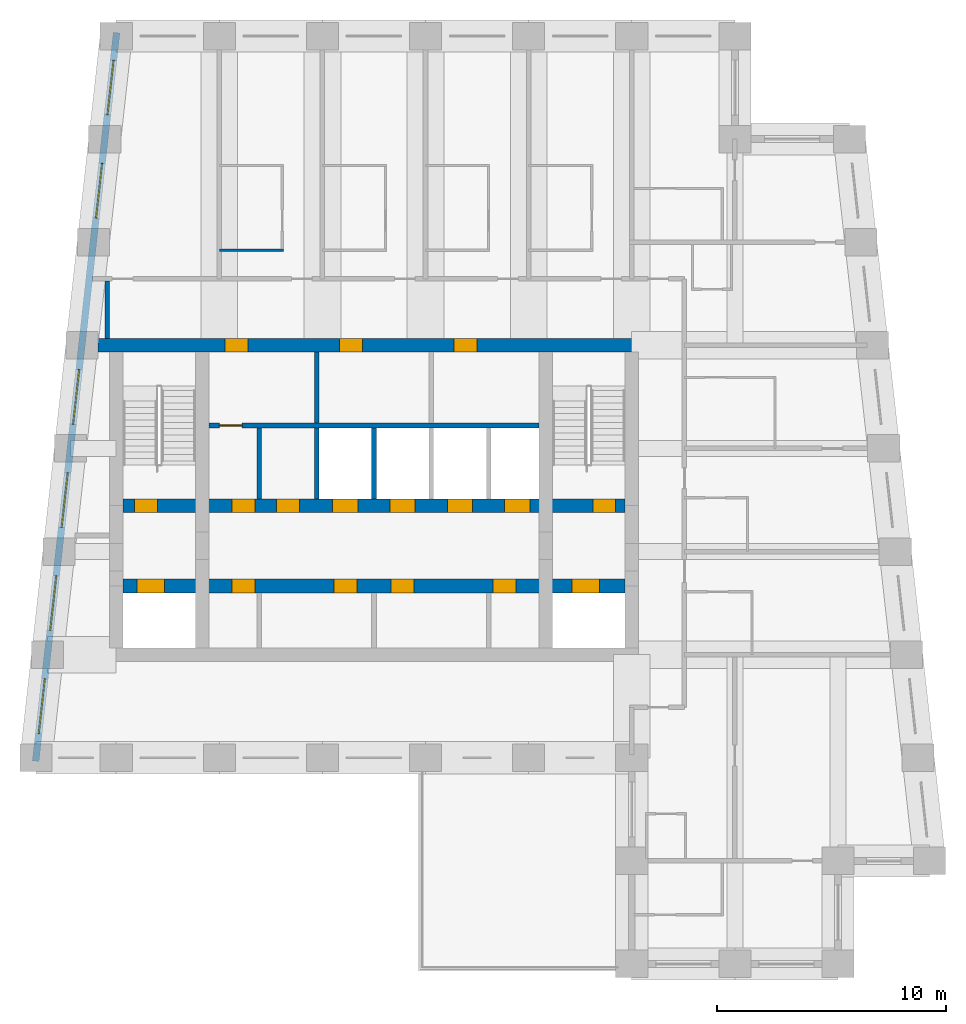
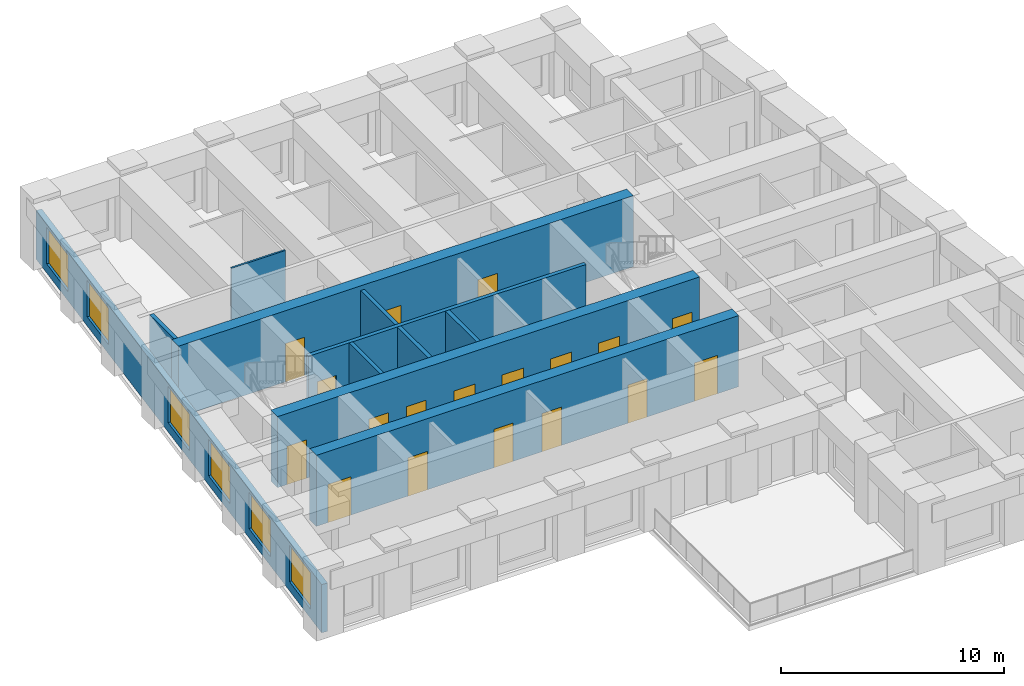
# One storey, part 3 of 7: 18 doors, 11 walls, 6 windows, 24 openings.
"""IFC4 building model written with IfcOpenShell, lengths in metres."""

from ifc_helpers import new_model, si_unit, direction, frame, frame_2d, origin, place, context, subcontext, project, spatial, rectangle, extrude, material, layer, layer_set, type_object, element, fill, save


model = new_model("IFC4")

# Units and contexts
model_context = context("Model", 3, precision=1e-05, world=origin(), true_north=direction((0.0, 1.0)))
body_context = subcontext(model_context, "Body", "Model", "MODEL_VIEW")
ifc_project = project(units=[si_unit("LENGTHUNIT", "METRE"), si_unit("AREAUNIT", "SQUARE_METRE"), si_unit("VOLUMEUNIT", "CUBIC_METRE"), si_unit("PLANEANGLEUNIT", "RADIAN"), si_unit("MASSUNIT", "GRAM", prefix="KILO")], contexts=[model_context])

# Site, building, storey
site_placement = place(None, origin())
site = spatial("IfcSite", under=ifc_project, at=site_placement, CompositionType="ELEMENT")
building_placement = place(site_placement, origin())
building = spatial("IfcBuilding", under=site, at=building_placement, Name="Kilele Tower Hotel", CompositionType="ELEMENT")
storey_placement = place(building_placement, frame((0.0, 0.0, 250.699951171875)))
storey = spatial("IfcBuildingStorey", under=building, at=storey_placement, Name="L64", CompositionType="ELEMENT", Elevation=250.699951171875)

# Wall
ifc_material_1 = material(Name="Moisture-resistant board")
ifc_layer_1 = layer(ifc_material_1, 0.10009765625)
ifc_layer_set_1 = layer_set([ifc_layer_1], Name="Moisture-resistant board")
wall_type_1 = type_object("IfcWallType", Name="Bathroom partition 100", PredefinedType="PLUMBINGWALL", material=ifc_layer_set_1)
wall_1_placement = place(storey_placement, frame((18.0, 31.14990234375, 0.0), z_axis=(0.0, 0.0, 1.0), x_axis=(1.0, 0.0, 0.0)))
element("IfcWall", 1, at=wall_1_placement, inside=storey, type_object=wall_type_1, Name="Bathroom partition 100 L64", PredefinedType="PLUMBINGWALL", context=body_context, shape_type="SweptSolid", body=[
    extrude(rectangle(XDim=2.800048828125, YDim=0.10009765625, at=frame_2d((1.39990234375, 0.0))), origin(), (0.0, 0.0, 1.0), 3.650146484375),
])

# Wall, openings, doors
ifc_material_2 = material(Name="Concrete C60/75", Category="concrete")
ifc_layer_2 = layer(ifc_material_2, 0.60009765625)
ifc_layer_set_2 = layer_set([ifc_layer_2], Name="Concrete C60/75")
wall_type_2 = type_object("IfcWallType", Name="Core wall 600 C60/75", PredefinedType="SHEAR", material=ifc_layer_set_2)
wall_2_placement = place(storey_placement, frame((36.300048828125, 27.0, 0.0), z_axis=(0.0, 0.0, 1.0), x_axis=(-1.0, 0.0, 0.0)))
wall_2 = element("IfcWall", 2, at=wall_2_placement, inside=storey, type_object=wall_type_2, Name="Core wall N L64", PredefinedType="SHEAR", context=body_context, shape_type="SweptSolid", body=[
    extrude(rectangle(XDim=23.60009765625, YDim=0.60009765625, at=frame_2d((11.800048828125, 0.0))), origin(), (0.0, 0.0, 1.0), 3.900146484375),
])
opening_1_placement = place(wall_2_placement, frame((17.050048828125, 0.0, 0.0)))
opening_1 = element("IfcOpeningElement", 3, at=opening_1_placement, cuts=wall_2, Name="Opening D12", PredefinedType="OPENING", context=body_context, shape_type="SweptSolid", body=[
    extrude(rectangle(XDim=1.0, YDim=2.10009765625, at=frame_2d((0.5, 1.050048828125))), frame((0.0, 0.31005859375, 0.0), z_axis=(0.0, -1.0, 0.0), x_axis=(1.0, 0.0, 0.0)), (0.0, 0.0, 1.0), 0.6201171875),
])
opening_2_placement = place(wall_2_placement, frame((12.050048828125, 0.0, 0.0)))
opening_2 = element("IfcOpeningElement", 4, at=opening_2_placement, cuts=wall_2, Name="Opening D6", PredefinedType="OPENING", context=body_context, shape_type="SweptSolid", body=[
    extrude(rectangle(XDim=1.0, YDim=2.10009765625, at=frame_2d((0.5, 1.050048828125))), frame((0.0, 0.31005859375, 0.0), z_axis=(0.0, -1.0, 0.0), x_axis=(1.0, 0.0, 0.0)), (0.0, 0.0, 1.0), 0.6201171875),
])
opening_3_placement = place(wall_2_placement, frame((7.050048828125, 0.0, 0.0)))
opening_3 = element("IfcOpeningElement", 5, at=opening_3_placement, cuts=wall_2, Name="Opening D6", PredefinedType="OPENING", context=body_context, shape_type="SweptSolid", body=[
    extrude(rectangle(XDim=1.0, YDim=2.10009765625, at=frame_2d((0.5, 1.050048828125))), frame((0.0, 0.31005859375, 0.0), z_axis=(0.0, -1.0, 0.0), x_axis=(1.0, 0.0, 0.0)), (0.0, 0.0, 1.0), 0.6201171875),
])
ifc_material_3 = material(Name="Timber door leaf in hardwood frame", Category="wood")
door_type_1 = type_object("IfcDoorType", Name="Core lobby door 1000", OperationType="SINGLE_SWING_LEFT", PredefinedType="DOOR", material=ifc_material_3)
door_1_placement = place(opening_1_placement, origin())
door_1 = element("IfcDoor", 6, at=door_1_placement, inside=storey, type_object=door_type_1, Name="North lobby door L64", OperationType="SINGLE_SWING_RIGHT", OverallHeight=2.10009765625, OverallWidth=1.0, PredefinedType="DOOR", context=body_context, shape_type="SweptSolid", body=[
    extrude(rectangle(XDim=1.0, YDim=2.10009765625, at=frame_2d((0.5, 1.050048828125))), frame((0.0, 0.2998046875, 0.0), z_axis=(0.0, -1.0, 0.0), x_axis=(1.0, 0.0, 0.0)), (0.0, 0.0, 1.0), 0.599609375),
])
fill(opening_1, door_1)
ifc_material_4 = material(Name="Timber door leaf in hardwood frame", Category="wood")
door_type_2 = type_object("IfcDoorType", Name="Riser door 1000", OperationType="SINGLE_SWING_LEFT", PredefinedType="DOOR", material=ifc_material_4)
door_2_placement = place(opening_2_placement, origin())
door_2 = element("IfcDoor", 7, at=door_2_placement, inside=storey, type_object=door_type_2, Name="Staff WC door L64", OperationType="SINGLE_SWING_RIGHT", OverallHeight=2.10009765625, OverallWidth=1.0, PredefinedType="DOOR", context=body_context, shape_type="SweptSolid", body=[
    extrude(rectangle(XDim=1.0, YDim=2.10009765625, at=frame_2d((0.5, 1.050048828125))), frame((0.0, 0.2998046875, 0.0), z_axis=(0.0, -1.0, 0.0), x_axis=(1.0, 0.0, 0.0)), (0.0, 0.0, 1.0), 0.599609375),
])
fill(opening_2, door_2)
door_3_placement = place(opening_3_placement, origin())
door_3 = element("IfcDoor", 8, at=door_3_placement, inside=storey, type_object=door_type_2, Name="Electrical riser door L64", OperationType="SINGLE_SWING_RIGHT", OverallHeight=2.10009765625, OverallWidth=1.0, PredefinedType="DOOR", context=body_context, shape_type="SweptSolid", body=[
    extrude(rectangle(XDim=1.0, YDim=2.10009765625, at=frame_2d((0.5, 1.050048828125))), frame((0.0, 0.2998046875, 0.0), z_axis=(0.0, -1.0, 0.0), x_axis=(1.0, 0.0, 0.0)), (0.0, 0.0, 1.0), 0.599609375),
])
fill(opening_3, door_3)

wall_3_placement = place(storey_placement, frame((13.800048828125, 16.5, 0.0), z_axis=(0.0, 0.0, 1.0), x_axis=(1.0, 0.0, 0.0)))
wall_3 = element("IfcWall", 9, at=wall_3_placement, inside=storey, type_object=wall_type_2, Name="Core wall LS L64", PredefinedType="SHEAR", context=body_context, shape_type="SweptSolid", body=[
    extrude(rectangle(XDim=21.89990234375, YDim=0.60009765625, at=frame_2d((10.949951171875, 0.0))), origin(), (0.0, 0.0, 1.0), 3.900146484375),
])
opening_4_placement = place(wall_3_placement, frame((5.75, 0.0, 0.0), z_axis=(0.0, 0.0, 1.0), x_axis=(-1.0, 0.0, 0.0)))
opening_4 = element("IfcOpeningElement", 10, at=opening_4_placement, cuts=wall_3, Name="Opening D11", PredefinedType="OPENING", context=body_context, shape_type="SweptSolid", body=[
    extrude(rectangle(XDim=1.0, YDim=2.10009765625, at=frame_2d((0.5, 1.050048828125))), frame((0.0, 0.31005859375, 0.0), z_axis=(0.0, -1.0, 0.0), x_axis=(1.0, 0.0, 0.0)), (0.0, 0.0, 1.0), 0.6201171875),
])
opening_5_placement = place(wall_3_placement, frame((10.199951171875, 0.0, 0.0), z_axis=(0.0, 0.0, 1.0), x_axis=(-1.0, 0.0, 0.0)))
opening_5 = element("IfcOpeningElement", 11, at=opening_5_placement, cuts=wall_3, Name="Opening D11", PredefinedType="OPENING", context=body_context, shape_type="SweptSolid", body=[
    extrude(rectangle(XDim=1.0, YDim=2.10009765625, at=frame_2d((0.5, 1.050048828125))), frame((0.0, 0.31005859375, 0.0), z_axis=(0.0, -1.0, 0.0), x_axis=(1.0, 0.0, 0.0)), (0.0, 0.0, 1.0), 0.6201171875),
])
opening_6_placement = place(wall_3_placement, frame((12.699951171875, 0.0, 0.0), z_axis=(0.0, 0.0, 1.0), x_axis=(-1.0, 0.0, 0.0)))
opening_6 = element("IfcOpeningElement", 12, at=opening_6_placement, cuts=wall_3, Name="Opening D11", PredefinedType="OPENING", context=body_context, shape_type="SweptSolid", body=[
    extrude(rectangle(XDim=1.0, YDim=2.10009765625, at=frame_2d((0.5, 1.050048828125))), frame((0.0, 0.31005859375, 0.0), z_axis=(0.0, -1.0, 0.0), x_axis=(1.0, 0.0, 0.0)), (0.0, 0.0, 1.0), 0.6201171875),
])
opening_7_placement = place(wall_3_placement, frame((17.14990234375, 0.0, 0.0), z_axis=(0.0, 0.0, 1.0), x_axis=(-1.0, 0.0, 0.0)))
opening_7 = element("IfcOpeningElement", 13, at=opening_7_placement, cuts=wall_3, Name="Opening D11", PredefinedType="OPENING", context=body_context, shape_type="SweptSolid", body=[
    extrude(rectangle(XDim=1.0, YDim=2.10009765625, at=frame_2d((0.5, 1.050048828125))), frame((0.0, 0.31005859375, 0.0), z_axis=(0.0, -1.0, 0.0), x_axis=(1.0, 0.0, 0.0)), (0.0, 0.0, 1.0), 0.6201171875),
])
opening_8_placement = place(wall_3_placement, frame((0.60009765625, 0.0, 0.0)))
opening_8 = element("IfcOpeningElement", 14, at=opening_8_placement, cuts=wall_3, Name="Opening LD2", PredefinedType="OPENING", context=body_context, shape_type="SweptSolid", body=[
    extrude(rectangle(XDim=1.199951171875, YDim=2.10009765625, at=frame_2d((0.60009765625, 1.050048828125))), frame((0.0, 0.31005859375, 0.0), z_axis=(0.0, -1.0, 0.0), x_axis=(1.0, 0.0, 0.0)), (0.0, 0.0, 1.0), 0.6201171875),
])
opening_9_placement = place(wall_3_placement, frame((19.60009765625, 0.0, 0.0)))
opening_9 = element("IfcOpeningElement", 15, at=opening_9_placement, cuts=wall_3, Name="Opening LD2", PredefinedType="OPENING", context=body_context, shape_type="SweptSolid", body=[
    extrude(rectangle(XDim=1.199951171875, YDim=2.10009765625, at=frame_2d((0.60009765625, 1.050048828125))), frame((0.0, 0.31005859375, 0.0), z_axis=(0.0, -1.0, 0.0), x_axis=(1.0, 0.0, 0.0)), (0.0, 0.0, 1.0), 0.6201171875),
])
ifc_material_5 = material(Name="Timber door leaf in hardwood frame", Category="wood")
door_type_3 = type_object("IfcDoorType", Name="Core store door 1000", OperationType="SINGLE_SWING_LEFT", PredefinedType="DOOR", material=ifc_material_5)
door_4_placement = place(opening_4_placement, origin())
door_4 = element("IfcDoor", 16, at=door_4_placement, inside=storey, type_object=door_type_3, Name="Core room door L1 L64", OperationType="SINGLE_SWING_LEFT", OverallHeight=2.10009765625, OverallWidth=1.0, PredefinedType="DOOR", context=body_context, shape_type="SweptSolid", body=[
    extrude(rectangle(XDim=1.0, YDim=2.10009765625, at=frame_2d((0.5, 1.050048828125))), frame((0.0, 0.2998046875, 0.0), z_axis=(0.0, -1.0, 0.0), x_axis=(1.0, 0.0, 0.0)), (0.0, 0.0, 1.0), 0.599609375),
])
fill(opening_4, door_4)
door_5_placement = place(opening_5_placement, origin())
door_5 = element("IfcDoor", 17, at=door_5_placement, inside=storey, type_object=door_type_3, Name="Core room door L3 L64", OperationType="SINGLE_SWING_LEFT", OverallHeight=2.10009765625, OverallWidth=1.0, PredefinedType="DOOR", context=body_context, shape_type="SweptSolid", body=[
    extrude(rectangle(XDim=1.0, YDim=2.10009765625, at=frame_2d((0.5, 1.050048828125))), frame((0.0, 0.2998046875, 0.0), z_axis=(0.0, -1.0, 0.0), x_axis=(1.0, 0.0, 0.0)), (0.0, 0.0, 1.0), 0.599609375),
])
fill(opening_5, door_5)
door_6_placement = place(opening_6_placement, origin())
door_6 = element("IfcDoor", 18, at=door_6_placement, inside=storey, type_object=door_type_3, Name="Core room door M1 L64", OperationType="SINGLE_SWING_RIGHT", OverallHeight=2.10009765625, OverallWidth=1.0, PredefinedType="DOOR", context=body_context, shape_type="SweptSolid", body=[
    extrude(rectangle(XDim=1.0, YDim=2.10009765625, at=frame_2d((0.5, 1.050048828125))), frame((0.0, 0.2998046875, 0.0), z_axis=(0.0, -1.0, 0.0), x_axis=(1.0, 0.0, 0.0)), (0.0, 0.0, 1.0), 0.599609375),
])
fill(opening_6, door_6)
door_7_placement = place(opening_7_placement, origin())
door_7 = element("IfcDoor", 19, at=door_7_placement, inside=storey, type_object=door_type_3, Name="Core room door M3 L64", OperationType="SINGLE_SWING_RIGHT", OverallHeight=2.10009765625, OverallWidth=1.0, PredefinedType="DOOR", context=body_context, shape_type="SweptSolid", body=[
    extrude(rectangle(XDim=1.0, YDim=2.10009765625, at=frame_2d((0.5, 1.050048828125))), frame((0.0, 0.2998046875, 0.0), z_axis=(0.0, -1.0, 0.0), x_axis=(1.0, 0.0, 0.0)), (0.0, 0.0, 1.0), 0.599609375),
])
fill(opening_7, door_7)
ifc_material_6 = material(Name="Steel lift landing door", Category="steel")
door_type_4 = type_object("IfcDoorType", Name="Firefighting lift landing door 1200", OperationType="SLIDING_TO_LEFT", PredefinedType="DOOR", material=ifc_material_6)
door_8_placement = place(opening_8_placement, origin())
door_8 = element("IfcDoor", 20, at=door_8_placement, inside=storey, type_object=door_type_4, Name="Landing door FFW L64", OperationType="SLIDING_TO_LEFT", OverallHeight=2.10009765625, OverallWidth=1.199951171875, PredefinedType="DOOR", context=body_context, shape_type="SweptSolid", body=[
    extrude(rectangle(XDim=1.199951171875, YDim=2.10009765625, at=frame_2d((0.60009765625, 1.050048828125))), frame((0.0, 0.2998046875, 0.0), z_axis=(0.0, -1.0, 0.0), x_axis=(1.0, 0.0, 0.0)), (0.0, 0.0, 1.0), 0.599609375),
])
fill(opening_8, door_8)
door_9_placement = place(opening_9_placement, origin())
door_9 = element("IfcDoor", 21, at=door_9_placement, inside=storey, type_object=door_type_4, Name="Landing door FFE L64", OperationType="SLIDING_TO_LEFT", OverallHeight=2.10009765625, OverallWidth=1.199951171875, PredefinedType="DOOR", context=body_context, shape_type="SweptSolid", body=[
    extrude(rectangle(XDim=1.199951171875, YDim=2.10009765625, at=frame_2d((0.60009765625, 1.050048828125))), frame((0.0, 0.2998046875, 0.0), z_axis=(0.0, -1.0, 0.0), x_axis=(1.0, 0.0, 0.0)), (0.0, 0.0, 1.0), 0.599609375),
])
fill(opening_9, door_9)

wall_4_placement = place(storey_placement, frame((13.800048828125, 20.0, 0.0), z_axis=(0.0, 0.0, 1.0), x_axis=(1.0, 0.0, 0.0)))
wall_4 = element("IfcWall", 22, at=wall_4_placement, inside=storey, type_object=wall_type_2, Name="Core wall LN L64", PredefinedType="SHEAR", context=body_context, shape_type="SweptSolid", body=[
    extrude(rectangle(XDim=21.89990234375, YDim=0.60009765625, at=frame_2d((10.949951171875, 0.0))), origin(), (0.0, 0.0, 1.0), 3.900146484375),
])
opening_10_placement = place(wall_4_placement, frame((0.5, 0.0, 0.0)))
opening_10 = element("IfcOpeningElement", 23, at=opening_10_placement, cuts=wall_4, Name="Opening D5", PredefinedType="OPENING", context=body_context, shape_type="SweptSolid", body=[
    extrude(rectangle(XDim=1.0, YDim=2.10009765625, at=frame_2d((0.5, 1.050048828125))), frame((0.0, 0.31005859375, 0.0), z_axis=(0.0, -1.0, 0.0), x_axis=(1.0, 0.0, 0.0)), (0.0, 0.0, 1.0), 0.6201171875),
])
opening_11_placement = place(wall_4_placement, frame((20.5, 0.0, 0.0)))
opening_11 = element("IfcOpeningElement", 24, at=opening_11_placement, cuts=wall_4, Name="Opening D5", PredefinedType="OPENING", context=body_context, shape_type="SweptSolid", body=[
    extrude(rectangle(XDim=1.0, YDim=2.10009765625, at=frame_2d((0.5, 1.050048828125))), frame((0.0, 0.31005859375, 0.0), z_axis=(0.0, -1.0, 0.0), x_axis=(1.0, 0.0, 0.0)), (0.0, 0.0, 1.0), 0.6201171875),
])
opening_12_placement = place(wall_4_placement, frame((9.14990234375, 0.0, 0.0)))
opening_12 = element("IfcOpeningElement", 25, at=opening_12_placement, cuts=wall_4, Name="Opening LD1", PredefinedType="OPENING", context=body_context, shape_type="SweptSolid", body=[
    extrude(rectangle(XDim=1.10009765625, YDim=2.10009765625, at=frame_2d((0.550048828125, 1.050048828125))), frame((0.0, 0.31005859375, 0.0), z_axis=(0.0, -1.0, 0.0), x_axis=(1.0, 0.0, 0.0)), (0.0, 0.0, 1.0), 0.6201171875),
])
opening_13_placement = place(wall_4_placement, frame((11.64990234375, 0.0, 0.0)))
opening_13 = element("IfcOpeningElement", 26, at=opening_13_placement, cuts=wall_4, Name="Opening LD1", PredefinedType="OPENING", context=body_context, shape_type="SweptSolid", body=[
    extrude(rectangle(XDim=1.10009765625, YDim=2.10009765625, at=frame_2d((0.550048828125, 1.050048828125))), frame((0.0, 0.31005859375, 0.0), z_axis=(0.0, -1.0, 0.0), x_axis=(1.0, 0.0, 0.0)), (0.0, 0.0, 1.0), 0.6201171875),
])
opening_14_placement = place(wall_4_placement, frame((14.14990234375, 0.0, 0.0)))
opening_14 = element("IfcOpeningElement", 27, at=opening_14_placement, cuts=wall_4, Name="Opening LD1", PredefinedType="OPENING", context=body_context, shape_type="SweptSolid", body=[
    extrude(rectangle(XDim=1.10009765625, YDim=2.10009765625, at=frame_2d((0.550048828125, 1.050048828125))), frame((0.0, 0.31005859375, 0.0), z_axis=(0.0, -1.0, 0.0), x_axis=(1.0, 0.0, 0.0)), (0.0, 0.0, 1.0), 0.6201171875),
])
opening_15_placement = place(wall_4_placement, frame((16.64990234375, 0.0, 0.0)))
opening_15 = element("IfcOpeningElement", 28, at=opening_15_placement, cuts=wall_4, Name="Opening LD1", PredefinedType="OPENING", context=body_context, shape_type="SweptSolid", body=[
    extrude(rectangle(XDim=1.10009765625, YDim=2.10009765625, at=frame_2d((0.550048828125, 1.050048828125))), frame((0.0, 0.31005859375, 0.0), z_axis=(0.0, -1.0, 0.0), x_axis=(1.0, 0.0, 0.0)), (0.0, 0.0, 1.0), 0.6201171875),
])
opening_16_placement = place(wall_4_placement, frame((5.75, 0.0, 0.0), z_axis=(0.0, 0.0, 1.0), x_axis=(-1.0, 0.0, 0.0)))
opening_16 = element("IfcOpeningElement", 29, at=opening_16_placement, cuts=wall_4, Name="Opening D12", PredefinedType="OPENING", context=body_context, shape_type="SweptSolid", body=[
    extrude(rectangle(XDim=1.0, YDim=2.10009765625, at=frame_2d((0.5, 1.050048828125))), frame((0.0, 0.31005859375, 0.0), z_axis=(0.0, -1.0, 0.0), x_axis=(1.0, 0.0, 0.0)), (0.0, 0.0, 1.0), 0.6201171875),
])
opening_17_placement = place(wall_4_placement, frame((6.699951171875, 0.0, 0.0)))
opening_17 = element("IfcOpeningElement", 30, at=opening_17_placement, cuts=wall_4, Name="Opening D11", PredefinedType="OPENING", context=body_context, shape_type="SweptSolid", body=[
    extrude(rectangle(XDim=1.0, YDim=2.10009765625, at=frame_2d((0.5, 1.050048828125))), frame((0.0, 0.31005859375, 0.0), z_axis=(0.0, -1.0, 0.0), x_axis=(1.0, 0.0, 0.0)), (0.0, 0.0, 1.0), 0.6201171875),
])
door_10_placement = place(opening_16_placement, origin())
door_10 = element("IfcDoor", 31, at=door_10_placement, inside=storey, type_object=door_type_1, Name="Core passage door L64", OperationType="SINGLE_SWING_RIGHT", OverallHeight=2.10009765625, OverallWidth=1.0, PredefinedType="DOOR", context=body_context, shape_type="SweptSolid", body=[
    extrude(rectangle(XDim=1.0, YDim=2.10009765625, at=frame_2d((0.5, 1.050048828125))), frame((0.0, 0.2998046875, 0.0), z_axis=(0.0, -1.0, 0.0), x_axis=(1.0, 0.0, 0.0)), (0.0, 0.0, 1.0), 0.599609375),
])
fill(opening_16, door_10)
door_11_placement = place(opening_17_placement, origin())
door_11 = element("IfcDoor", 32, at=door_11_placement, inside=storey, type_object=door_type_3, Name="Core room door S2 L64", OperationType="SINGLE_SWING_LEFT", OverallHeight=2.10009765625, OverallWidth=1.0, PredefinedType="DOOR", context=body_context, shape_type="SweptSolid", body=[
    extrude(rectangle(XDim=1.0, YDim=2.10009765625, at=frame_2d((0.5, 1.050048828125))), frame((0.0, 0.2998046875, 0.0), z_axis=(0.0, -1.0, 0.0), x_axis=(1.0, 0.0, 0.0)), (0.0, 0.0, 1.0), 0.599609375),
])
fill(opening_17, door_11)
ifc_material_7 = material(Name="Steel lift landing door", Category="steel")
door_type_5 = type_object("IfcDoorType", Name="Lift landing door 1100", OperationType="SLIDING_TO_LEFT", PredefinedType="DOOR", material=ifc_material_7)
door_12_placement = place(opening_12_placement, origin())
door_12 = element("IfcDoor", 33, at=door_12_placement, inside=storey, type_object=door_type_5, Name="Landing door H1 L64", OperationType="SLIDING_TO_LEFT", OverallHeight=2.10009765625, OverallWidth=1.10009765625, PredefinedType="DOOR", context=body_context, shape_type="SweptSolid", body=[
    extrude(rectangle(XDim=1.10009765625, YDim=2.10009765625, at=frame_2d((0.550048828125, 1.050048828125))), frame((0.0, 0.2998046875, 0.0), z_axis=(0.0, -1.0, 0.0), x_axis=(1.0, 0.0, 0.0)), (0.0, 0.0, 1.0), 0.599609375),
])
fill(opening_12, door_12)
door_13_placement = place(opening_13_placement, origin())
door_13 = element("IfcDoor", 34, at=door_13_placement, inside=storey, type_object=door_type_5, Name="Landing door H2 L64", OperationType="SLIDING_TO_LEFT", OverallHeight=2.10009765625, OverallWidth=1.10009765625, PredefinedType="DOOR", context=body_context, shape_type="SweptSolid", body=[
    extrude(rectangle(XDim=1.10009765625, YDim=2.10009765625, at=frame_2d((0.550048828125, 1.050048828125))), frame((0.0, 0.2998046875, 0.0), z_axis=(0.0, -1.0, 0.0), x_axis=(1.0, 0.0, 0.0)), (0.0, 0.0, 1.0), 0.599609375),
])
fill(opening_13, door_13)
door_14_placement = place(opening_14_placement, origin())
door_14 = element("IfcDoor", 35, at=door_14_placement, inside=storey, type_object=door_type_5, Name="Landing door H3 L64", OperationType="SLIDING_TO_LEFT", OverallHeight=2.10009765625, OverallWidth=1.10009765625, PredefinedType="DOOR", context=body_context, shape_type="SweptSolid", body=[
    extrude(rectangle(XDim=1.10009765625, YDim=2.10009765625, at=frame_2d((0.550048828125, 1.050048828125))), frame((0.0, 0.2998046875, 0.0), z_axis=(0.0, -1.0, 0.0), x_axis=(1.0, 0.0, 0.0)), (0.0, 0.0, 1.0), 0.599609375),
])
fill(opening_14, door_14)
door_15_placement = place(opening_15_placement, origin())
door_15 = element("IfcDoor", 36, at=door_15_placement, inside=storey, type_object=door_type_5, Name="Landing door G1 L64", OperationType="SLIDING_TO_LEFT", OverallHeight=2.10009765625, OverallWidth=1.10009765625, PredefinedType="DOOR", context=body_context, shape_type="SweptSolid", body=[
    extrude(rectangle(XDim=1.10009765625, YDim=2.10009765625, at=frame_2d((0.550048828125, 1.050048828125))), frame((0.0, 0.2998046875, 0.0), z_axis=(0.0, -1.0, 0.0), x_axis=(1.0, 0.0, 0.0)), (0.0, 0.0, 1.0), 0.599609375),
])
fill(opening_15, door_15)
ifc_material_8 = material(Name="Timber door leaf in hardwood frame", Category="wood")
door_type_6 = type_object("IfcDoorType", Name="Stair door 1000", OperationType="SINGLE_SWING_LEFT", PredefinedType="DOOR", material=ifc_material_8)
door_16_placement = place(opening_10_placement, origin())
door_16 = element("IfcDoor", 37, at=door_16_placement, inside=storey, type_object=door_type_6, Name="Stair 1 door L64", OperationType="SINGLE_SWING_LEFT", OverallHeight=2.10009765625, OverallWidth=1.0, PredefinedType="DOOR", context=body_context, shape_type="SweptSolid", body=[
    extrude(rectangle(XDim=1.0, YDim=2.10009765625, at=frame_2d((0.5, 1.050048828125))), frame((0.0, 0.2998046875, 0.0), z_axis=(0.0, -1.0, 0.0), x_axis=(1.0, 0.0, 0.0)), (0.0, 0.0, 1.0), 0.599609375),
])
fill(opening_10, door_16)
door_17_placement = place(opening_11_placement, origin())
door_17 = element("IfcDoor", 38, at=door_17_placement, inside=storey, type_object=door_type_6, Name="Stair 2 door L64", OperationType="SINGLE_SWING_RIGHT", OverallHeight=2.10009765625, OverallWidth=1.0, PredefinedType="DOOR", context=body_context, shape_type="SweptSolid", body=[
    extrude(rectangle(XDim=1.0, YDim=2.10009765625, at=frame_2d((0.5, 1.050048828125))), frame((0.0, 0.2998046875, 0.0), z_axis=(0.0, -1.0, 0.0), x_axis=(1.0, 0.0, 0.0)), (0.0, 0.0, 1.0), 0.599609375),
])
fill(opening_11, door_17)

# Wall
ifc_material_9 = material(Name="Blockwork, plastered both sides", Category="masonry")
ifc_layer_3 = layer(ifc_material_9, 0.199951171875)
ifc_layer_set_3 = layer_set([ifc_layer_3], Name="Blockwork, plastered both sides")
wall_type_3 = type_object("IfcWallType", Name="Partition wall 200", PredefinedType="PARTITIONING", material=ifc_layer_set_3)
wall_5_placement = place(storey_placement, frame((13.10009765625, 27.300048828125, 0.0), z_axis=(0.0, 0.0, 1.0), x_axis=(0.0, 1.0, 0.0)))
element("IfcWall", 39, at=wall_5_placement, inside=storey, type_object=wall_type_3, Name="Partition wall 200 L64", PredefinedType="PARTITIONING", context=body_context, shape_type="SweptSolid", body=[
    extrude(rectangle(XDim=2.5, YDim=0.199951171875, at=frame_2d((1.25, 0.0))), origin(), (0.0, 0.0, 1.0), 3.650146484375),
])

# Wall, openings, windows
ifc_material_10 = material(Name="Concrete C40/50 precast", Category="concrete")
ifc_layer_4 = layer(ifc_material_10, 0.260009765625, Name="Precast backing", Category="LoadBearing")
ifc_material_11 = material(Name="Reconstituted stone finish", Category="masonry")
ifc_layer_5 = layer(ifc_material_11, 0.0400390625, Name="Face mix", Category="Finish")
ifc_layer_set_4 = layer_set([ifc_layer_4, ifc_layer_5], Name="Precast concrete C40/50, reconstituted stone finish")
wall_type_4 = type_object("IfcWallType", Name="Precast stone facade wall 300", PredefinedType="STANDARD", material=ifc_layer_set_4)
wall_6_placement = place(storey_placement, frame((13.5166015625, 40.649169921875, 0.0), z_axis=(0.0, 0.0, 1.0), x_axis=(-0.110433201132, -0.993883548555, 0.0)))
wall_6 = element("IfcWall", 40, at=wall_6_placement, inside=storey, type_object=wall_type_4, Name="Facade wall L64 edge 10", PredefinedType="STANDARD", context=body_context, shape_type="SweptSolid", body=[
    extrude(rectangle(XDim=31.994140625, YDim=0.300048828125, at=frame_2d((15.9970703125, 0.0))), origin(), (0.0, 0.0, 1.0), 2.650146484375),
])
opening_18_placement = place(wall_6_placement, frame((1.214111328125, 0.0, 0.5)))
opening_18 = element("IfcOpeningElement", 41, at=opening_18_placement, cuts=wall_6, Name="Opening W4", PredefinedType="OPENING", context=body_context, shape_type="SweptSolid", body=[
    extrude(rectangle(XDim=2.39990234375, YDim=2.0, at=frame_2d((1.199951171875, 1.0))), frame((0.0, 0.159912109375, 0.0), z_axis=(0.0, -1.0, 0.0), x_axis=(1.0, 0.0, 0.0)), (0.0, 0.0, 1.0), 0.320068359375),
])
opening_19_placement = place(wall_6_placement, frame((5.741943359375, 0.0, 0.5)))
opening_19 = element("IfcOpeningElement", 42, at=opening_19_placement, cuts=wall_6, Name="Opening W4", PredefinedType="OPENING", context=body_context, shape_type="SweptSolid", body=[
    extrude(rectangle(XDim=2.39990234375, YDim=2.0, at=frame_2d((1.199951171875, 1.0))), frame((0.0, 0.159912109375, 0.0), z_axis=(0.0, -1.0, 0.0), x_axis=(1.0, 0.0, 0.0)), (0.0, 0.0, 1.0), 0.320068359375),
])
opening_20_placement = place(wall_6_placement, frame((14.797119140625, 0.0, 0.5)))
opening_20 = element("IfcOpeningElement", 43, at=opening_20_placement, cuts=wall_6, Name="Opening W4", PredefinedType="OPENING", context=body_context, shape_type="SweptSolid", body=[
    extrude(rectangle(XDim=2.39990234375, YDim=2.0, at=frame_2d((1.199951171875, 1.0))), frame((0.0, 0.159912109375, 0.0), z_axis=(0.0, -1.0, 0.0), x_axis=(1.0, 0.0, 0.0)), (0.0, 0.0, 1.0), 0.320068359375),
])
opening_21_placement = place(wall_6_placement, frame((19.324951171875, 0.0, 0.5)))
opening_21 = element("IfcOpeningElement", 44, at=opening_21_placement, cuts=wall_6, Name="Opening W4", PredefinedType="OPENING", context=body_context, shape_type="SweptSolid", body=[
    extrude(rectangle(XDim=2.39990234375, YDim=2.0, at=frame_2d((1.199951171875, 1.0))), frame((0.0, 0.159912109375, 0.0), z_axis=(0.0, -1.0, 0.0), x_axis=(1.0, 0.0, 0.0)), (0.0, 0.0, 1.0), 0.320068359375),
])
opening_22_placement = place(wall_6_placement, frame((23.85205078125, 0.0, 0.5)))
opening_22 = element("IfcOpeningElement", 45, at=opening_22_placement, cuts=wall_6, Name="Opening W4", PredefinedType="OPENING", context=body_context, shape_type="SweptSolid", body=[
    extrude(rectangle(XDim=2.39990234375, YDim=2.0, at=frame_2d((1.199951171875, 1.0))), frame((0.0, 0.159912109375, 0.0), z_axis=(0.0, -1.0, 0.0), x_axis=(1.0, 0.0, 0.0)), (0.0, 0.0, 1.0), 0.320068359375),
])
opening_23_placement = place(wall_6_placement, frame((28.3798828125, 0.0, 0.5)))
opening_23 = element("IfcOpeningElement", 46, at=opening_23_placement, cuts=wall_6, Name="Opening W4", PredefinedType="OPENING", context=body_context, shape_type="SweptSolid", body=[
    extrude(rectangle(XDim=2.39990234375, YDim=2.0, at=frame_2d((1.199951171875, 1.0))), frame((0.0, 0.159912109375, 0.0), z_axis=(0.0, -1.0, 0.0), x_axis=(1.0, 0.0, 0.0)), (0.0, 0.0, 1.0), 0.320068359375),
])
ifc_material_12 = material(Name="Aluminium frame, clear double glazing", Category="aluminium")
window_type = type_object("IfcWindowType", Name="Window W4 2400 x 2000", PartitioningType="SINGLE_PANEL", PredefinedType="WINDOW", material=ifc_material_12)
window_1_placement = place(opening_18_placement, origin())
window_1 = element("IfcWindow", 47, at=window_1_placement, inside=storey, type_object=window_type, Name="Window L64", OverallHeight=2.0, OverallWidth=2.39990234375, PartitioningType="SINGLE_PANEL", PredefinedType="WINDOW", context=body_context, shape_type="SweptSolid", body=[
    extrude(rectangle(XDim=2.39990234375, YDim=2.0, at=frame_2d((1.199951171875, 1.0))), frame((0.0, 0.030029296875, 0.0), z_axis=(0.0, -1.0, 0.0), x_axis=(1.0, 0.0, 0.0)), (0.0, 0.0, 1.0), 0.06005859375),
])
fill(opening_18, window_1)
window_2_placement = place(opening_19_placement, origin())
window_2 = element("IfcWindow", 48, at=window_2_placement, inside=storey, type_object=window_type, Name="Window L64", OverallHeight=2.0, OverallWidth=2.39990234375, PartitioningType="SINGLE_PANEL", PredefinedType="WINDOW", context=body_context, shape_type="SweptSolid", body=[
    extrude(rectangle(XDim=2.39990234375, YDim=2.0, at=frame_2d((1.199951171875, 1.0))), frame((0.0, 0.030029296875, 0.0), z_axis=(0.0, -1.0, 0.0), x_axis=(1.0, 0.0, 0.0)), (0.0, 0.0, 1.0), 0.06005859375),
])
fill(opening_19, window_2)
window_3_placement = place(opening_20_placement, origin())
window_3 = element("IfcWindow", 49, at=window_3_placement, inside=storey, type_object=window_type, Name="Window L64", OverallHeight=2.0, OverallWidth=2.39990234375, PartitioningType="SINGLE_PANEL", PredefinedType="WINDOW", context=body_context, shape_type="SweptSolid", body=[
    extrude(rectangle(XDim=2.39990234375, YDim=2.0, at=frame_2d((1.199951171875, 1.0))), frame((0.0, 0.030029296875, 0.0), z_axis=(0.0, -1.0, 0.0), x_axis=(1.0, 0.0, 0.0)), (0.0, 0.0, 1.0), 0.06005859375),
])
fill(opening_20, window_3)
window_4_placement = place(opening_21_placement, origin())
window_4 = element("IfcWindow", 50, at=window_4_placement, inside=storey, type_object=window_type, Name="Window L64", OverallHeight=2.0, OverallWidth=2.39990234375, PartitioningType="SINGLE_PANEL", PredefinedType="WINDOW", context=body_context, shape_type="SweptSolid", body=[
    extrude(rectangle(XDim=2.39990234375, YDim=2.0, at=frame_2d((1.199951171875, 1.0))), frame((0.0, 0.030029296875, 0.0), z_axis=(0.0, -1.0, 0.0), x_axis=(1.0, 0.0, 0.0)), (0.0, 0.0, 1.0), 0.06005859375),
])
fill(opening_21, window_4)
window_5_placement = place(opening_22_placement, origin())
window_5 = element("IfcWindow", 51, at=window_5_placement, inside=storey, type_object=window_type, Name="Window L64", OverallHeight=2.0, OverallWidth=2.39990234375, PartitioningType="SINGLE_PANEL", PredefinedType="WINDOW", context=body_context, shape_type="SweptSolid", body=[
    extrude(rectangle(XDim=2.39990234375, YDim=2.0, at=frame_2d((1.199951171875, 1.0))), frame((0.0, 0.030029296875, 0.0), z_axis=(0.0, -1.0, 0.0), x_axis=(1.0, 0.0, 0.0)), (0.0, 0.0, 1.0), 0.06005859375),
])
fill(opening_22, window_5)
window_6_placement = place(opening_23_placement, origin())
window_6 = element("IfcWindow", 52, at=window_6_placement, inside=storey, type_object=window_type, Name="Window L64", OverallHeight=2.0, OverallWidth=2.39990234375, PartitioningType="SINGLE_PANEL", PredefinedType="WINDOW", context=body_context, shape_type="SweptSolid", body=[
    extrude(rectangle(XDim=2.39990234375, YDim=2.0, at=frame_2d((1.199951171875, 1.0))), frame((0.0, 0.030029296875, 0.0), z_axis=(0.0, -1.0, 0.0), x_axis=(1.0, 0.0, 0.0)), (0.0, 0.0, 1.0), 0.06005859375),
])
fill(opening_23, window_6)

# Walls
ifc_material_13 = material(Name="Blockwork, fire-rated", Category="masonry")
ifc_layer_6 = layer(ifc_material_13, 0.199951171875)
ifc_layer_set_5 = layer_set([ifc_layer_6], Name="Blockwork, fire-rated")
wall_type_5 = type_object("IfcWallType", Name="Shaft wall 200", PredefinedType="PARTITIONING", material=ifc_layer_set_5)
for number, where, z_axis, x_axis, name in (
    (53, (19.75, 20.300048828125, 0.0), (0.0, 0.0, 1.0), (0.0, 1.0, 0.0), "Shaft wall 200 L64"),
    (54, (22.25, 20.300048828125, 0.0), (0.0, 0.0, 1.0), (0.0, 1.0, 0.0), "Shaft wall 200 L64"),
    (55, (24.75, 20.300048828125, 0.0), (0.0, 0.0, 1.0), (0.0, 1.0, 0.0), "Shaft wall 200 L64"),
):
    element("IfcWall", number, at=place(storey_placement, frame(where, z_axis=z_axis, x_axis=x_axis)), inside=storey, type_object=wall_type_5, Name=name, PredefinedType="PARTITIONING", context=body_context, shape_type="SweptSolid", body=[
        extrude(rectangle(XDim=3.099853515625, YDim=0.199951171875, at=frame_2d((1.5498046875, 0.0))), origin(), (0.0, 0.0, 1.0), 3.650146484375),
    ])

# Wall, opening, door
wall_7_placement = place(storey_placement, frame((17.550048828125, 23.5, 0.0), z_axis=(0.0, 0.0, 1.0), x_axis=(1.0, 0.0, 0.0)))
wall_7 = element("IfcWall", 56, at=wall_7_placement, inside=storey, type_object=wall_type_5, Name="Shaft wall 200 L64", PredefinedType="PARTITIONING", context=body_context, shape_type="SweptSolid", body=[
    extrude(rectangle(XDim=14.39990234375, YDim=0.199951171875, at=frame_2d((7.199951171875, 0.0))), origin(), (0.0, 0.0, 1.0), 3.650146484375),
])
opening_24_placement = place(wall_7_placement, frame((0.449951171875, 0.0, 0.0)))
opening_24 = element("IfcOpeningElement", 57, at=opening_24_placement, cuts=wall_7, Name="Opening D12", PredefinedType="OPENING", context=body_context, shape_type="SweptSolid", body=[
    extrude(rectangle(XDim=1.0, YDim=2.10009765625, at=frame_2d((0.5, 1.050048828125))), frame((0.0, 0.10986328125, 0.0), z_axis=(0.0, -1.0, 0.0), x_axis=(1.0, 0.0, 0.0)), (0.0, 0.0, 1.0), 0.219970703125),
])
door_18_placement = place(opening_24_placement, origin())
door_18 = element("IfcDoor", 58, at=door_18_placement, inside=storey, type_object=door_type_1, Name="Core passage door", OperationType="SINGLE_SWING_LEFT", OverallHeight=2.10009765625, OverallWidth=1.0, PredefinedType="DOOR", context=body_context, shape_type="SweptSolid", body=[
    extrude(rectangle(XDim=1.0, YDim=2.10009765625, at=frame_2d((0.5, 1.050048828125))), frame((0.0, 0.02490234375, 0.0), z_axis=(0.0, -1.0, 0.0), x_axis=(1.0, 0.0, 0.0)), (0.0, 0.0, 1.0), 0.050048828125),
])
fill(opening_24, door_18)

# Wall
wall_8_placement = place(storey_placement, frame((22.25, 23.60009765625, 0.0), z_axis=(0.0, 0.0, 1.0), x_axis=(0.0, 1.0, 0.0)))
element("IfcWall", 59, at=wall_8_placement, inside=storey, type_object=wall_type_5, Name="Shaft wall 200 L64", PredefinedType="PARTITIONING", context=body_context, shape_type="SweptSolid", body=[
    extrude(rectangle(XDim=3.099853515625, YDim=0.199951171875, at=frame_2d((1.5498046875, 0.0))), origin(), (0.0, 0.0, 1.0), 3.650146484375),
])

save(model, "model.ifc")
